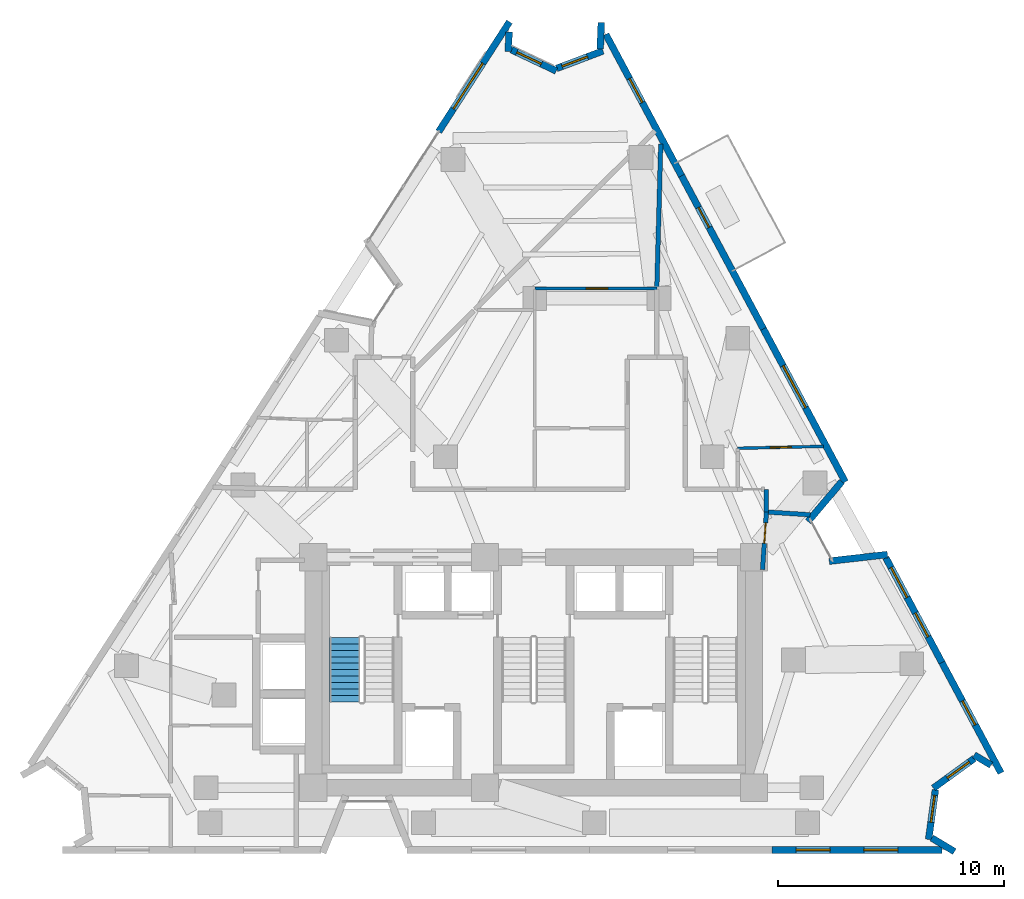
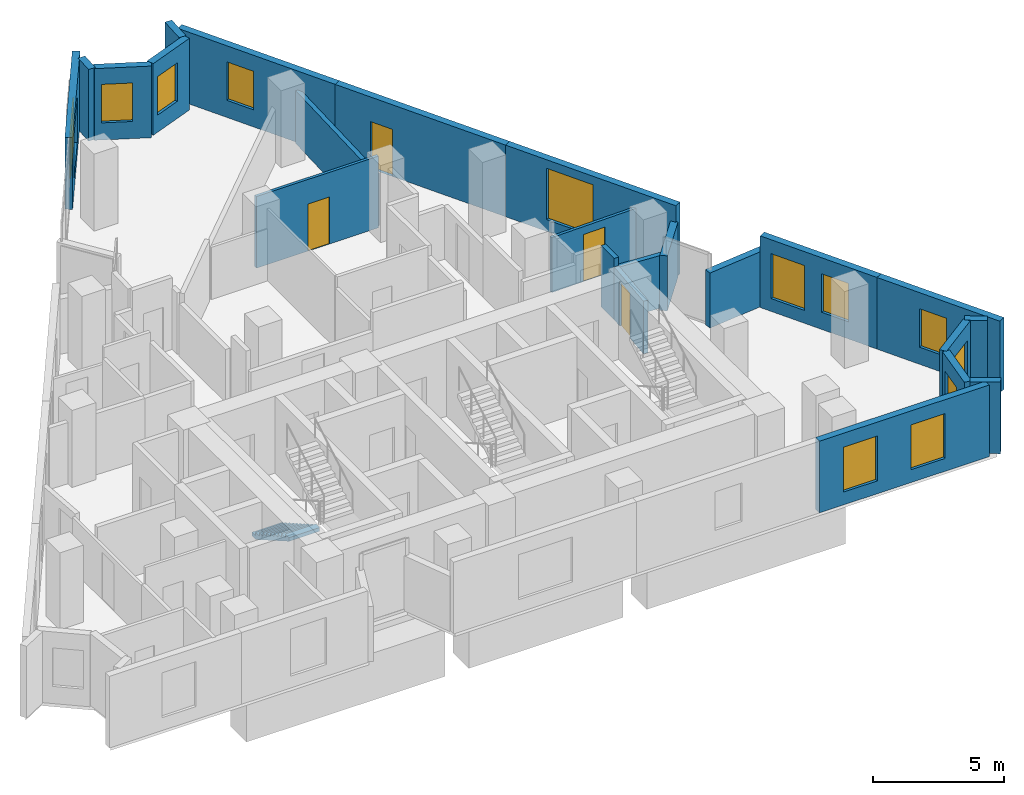
# One storey, part 9 of 11: 23 walls, 12 windows, 4 doors, 1 stair flight, 16 openings, 1 element without a shape of its own.
"""IFC4 building model written with IfcOpenShell, lengths in metres."""

from ifc_helpers import new_model, si_unit, direction, frame, frame_2d, origin, place, context, subcontext, project, spatial, polyline, rectangle, outline, extrude, material, layer, layer_set, type_object, element, fill, aggregate, save


model = new_model("IFC4")

# Units and contexts
model_context = context("Model", 3, precision=1e-05, world=origin(), true_north=direction((0.0, 1.0)))
body_context = subcontext(model_context, "Body", "Model", "MODEL_VIEW")
ifc_project = project(units=[si_unit("LENGTHUNIT", "METRE"), si_unit("AREAUNIT", "SQUARE_METRE"), si_unit("VOLUMEUNIT", "CUBIC_METRE"), si_unit("PLANEANGLEUNIT", "RADIAN"), si_unit("MASSUNIT", "GRAM", prefix="KILO")], contexts=[model_context])

# Site, building, storey
site_placement = place(None, origin())
site = spatial("IfcSite", under=ifc_project, at=site_placement, CompositionType="ELEMENT")
building_placement = place(site_placement, origin())
building = spatial("IfcBuilding", under=site, at=building_placement, Name="Almagre Mirador Tower", CompositionType="ELEMENT")
storey_placement = place(building_placement, frame((0.0, 0.0, 175.199951171875)))
storey = spatial("IfcBuildingStorey", under=building, at=storey_placement, Name="L45", CompositionType="ELEMENT", Elevation=175.199951171875)

# Wall, opening, window
ifc_material_1 = material(Name="Precast concrete C50/60", Category="concrete")
ifc_layer_1 = layer(ifc_material_1, 0.300048828125)
ifc_layer_set_1 = layer_set([ifc_layer_1], Name="Precast concrete C50/60")
wall_type_1 = type_object("IfcWallType", Name="WAL-EXT-300", PredefinedType="SOLIDWALL", material=ifc_layer_set_1)
wall_1_placement = place(storey_placement, frame((33.097900390625, 33.580078125, 0.0), z_axis=(0.0, 0.0, 1.0), x_axis=(0.542037422538, 0.840354349408, 0.0)))
wall_1 = element("IfcWall", 1, at=wall_1_placement, inside=storey, type_object=wall_type_1, Name="L45 expressed almagre precast frame wall 03", PredefinedType="SOLIDWALL", context=body_context, shape_type="SweptSolid", body=[
    extrude(rectangle(XDim=5.781982421875, YDim=0.300048828125, at=frame_2d((2.89111328125, 0.0))), origin(), (0.0, 0.0, 1.0), 3.35009765625),
])
opening_1_placement = place(wall_1_placement, frame((1.199951171875, 0.0, 0.60009765625)))
opening_1 = element("IfcOpeningElement", 2, at=opening_1_placement, cuts=wall_1, Name="Opening WN-02", PredefinedType="OPENING", context=body_context, shape_type="SweptSolid", body=[
    extrude(rectangle(XDim=2.39990234375, YDim=2.10009765625, at=frame_2d((1.199951171875, 1.050048828125))), frame((0.0, 0.159902, 0.0), z_axis=(0.0, -1.0, 0.0), x_axis=(1.0, 0.0, 0.0)), (0.0, 0.0, 1.0), 0.320049),
])
ifc_material_2 = material(Name="Dark solar-control laminated hurricane glass", Category="glass")
window_type_1 = type_object("IfcWindowType", Name="WIN-2400X2100", PartitioningType="TRIPLE_PANEL_VERTICAL", PredefinedType="WINDOW", material=ifc_material_2)
window_1_placement = place(opening_1_placement, origin())
window_1 = element("IfcWindow", 3, at=window_1_placement, inside=storey, type_object=window_type_1, Name="L45 recessed hurricane window L45-RST-G", OverallHeight=2.10009765625, OverallWidth=2.39990234375, PartitioningType="SINGLE_PANEL", PredefinedType="WINDOW", context=body_context, shape_type="SweptSolid", body=[
    extrude(rectangle(XDim=2.39990234375, YDim=2.10009765625, at=frame_2d((1.199951171875, 1.050048828125))), frame((0.0, 0.030029296875, 0.0), z_axis=(0.0, -1.0, 0.0), x_axis=(1.0, 0.0, 0.0)), (0.0, 0.0, 1.0), 0.06005859375),
])
fill(opening_1, window_1)

# Wall
wall_2_placement = place(storey_placement, frame((36.213623046875, 37.994384765625, 0.0), z_axis=(0.0, 0.0, 1.0), x_axis=(-0.040926134278, -0.999162174791, 0.0)))
element("IfcWall", 4, at=wall_2_placement, inside=storey, type_object=wall_type_1, Name="L45 expressed almagre precast frame wall 04", PredefinedType="SOLIDWALL", context=body_context, shape_type="SweptSolid", body=[
    extrude(rectangle(XDim=0.864990234375, YDim=0.300048828125, at=frame_2d((0.4326171875, 0.0))), origin(), (0.0, 0.0, 1.0), 3.35009765625),
])

# Wall, opening, window
wall_3_placement = place(storey_placement, frame((36.310546875, 37.2099609375, 0.0), z_axis=(0.0, 0.0, 1.0), x_axis=(0.903471604204, -0.428647944585, 0.0)))
wall_3 = element("IfcWall", 5, at=wall_3_placement, inside=storey, type_object=wall_type_1, Name="L45 expressed almagre precast frame wall 05", PredefinedType="SOLIDWALL", context=body_context, shape_type="SweptSolid", body=[
    extrude(rectangle(XDim=2.204833984375, YDim=0.300048828125, at=frame_2d((1.1025390625, 0.0))), origin(), (0.0, 0.0, 1.0), 3.35009765625),
])
opening_2_placement = place(wall_3_placement, frame((0.27001953125, 0.0, 0.800048828125)))
opening_2 = element("IfcOpeningElement", 6, at=opening_2_placement, cuts=wall_3, Name="Opening WN-04", PredefinedType="OPENING", context=body_context, shape_type="SweptSolid", body=[
    extrude(rectangle(XDim=1.199951171875, YDim=1.800048828125, at=frame_2d((0.60009765625, 0.89990234375))), frame((0.0, 0.159902, 0.0), z_axis=(0.0, -1.0, 0.0), x_axis=(1.0, 0.0, 0.0)), (0.0, 0.0, 1.0), 0.320049),
])
ifc_material_3 = material(Name="Dark solar-control laminated hurricane glass", Category="glass")
window_type_2 = type_object("IfcWindowType", Name="WIN-1200X1800", PartitioningType="SINGLE_PANEL", PredefinedType="WINDOW", material=ifc_material_3)
window_2_placement = place(opening_2_placement, origin())
window_2 = element("IfcWindow", 7, at=window_2_placement, inside=storey, type_object=window_type_2, Name="L45 recessed hurricane window L45-RST-G", OverallHeight=1.800048828125, OverallWidth=1.199951171875, PartitioningType="SINGLE_PANEL", PredefinedType="WINDOW", context=body_context, shape_type="SweptSolid", body=[
    extrude(rectangle(XDim=1.199951171875, YDim=1.800048828125, at=frame_2d((0.60009765625, 0.89990234375))), frame((0.0, 0.030029296875, 0.0), z_axis=(0.0, -1.0, 0.0), x_axis=(1.0, 0.0, 0.0)), (0.0, 0.0, 1.0), 0.06005859375),
])
fill(opening_2, window_2)

wall_4_placement = place(storey_placement, frame((38.31640625, 36.3779296875, 0.0), z_axis=(0.0, 0.0, 1.0), x_axis=(0.935503953589, 0.353316222129, 0.0)))
wall_4 = element("IfcWall", 8, at=wall_4_placement, inside=storey, type_object=wall_type_1, Name="L45 expressed almagre precast frame wall 06", PredefinedType="SOLIDWALL", context=body_context, shape_type="SweptSolid", body=[
    extrude(rectangle(XDim=2.1953125, YDim=0.300048828125, at=frame_2d((1.09765625, 0.0))), origin(), (0.0, 0.0, 1.0), 3.35009765625),
])
opening_3_placement = place(wall_4_placement, frame((0.260009765625, 0.0, 0.800048828125)))
opening_3 = element("IfcOpeningElement", 9, at=opening_3_placement, cuts=wall_4, Name="Opening WN-04", PredefinedType="OPENING", context=body_context, shape_type="SweptSolid", body=[
    extrude(rectangle(XDim=1.199951171875, YDim=1.800048828125, at=frame_2d((0.60009765625, 0.89990234375))), frame((0.0, 0.159902, 0.0), z_axis=(0.0, -1.0, 0.0), x_axis=(1.0, 0.0, 0.0)), (0.0, 0.0, 1.0), 0.320049),
])
window_3_placement = place(opening_3_placement, origin())
window_3 = element("IfcWindow", 10, at=window_3_placement, inside=storey, type_object=window_type_2, Name="L45 recessed hurricane window L45-RST-G", OverallHeight=1.800048828125, OverallWidth=1.199951171875, PartitioningType="SINGLE_PANEL", PredefinedType="WINDOW", context=body_context, shape_type="SweptSolid", body=[
    extrude(rectangle(XDim=1.199951171875, YDim=1.800048828125, at=frame_2d((0.60009765625, 0.89990234375))), frame((0.0, 0.030029296875, 0.0), z_axis=(0.0, -1.0, 0.0), x_axis=(1.0, 0.0, 0.0)), (0.0, 0.0, 1.0), 0.06005859375),
])
fill(opening_3, window_3)

# Wall
wall_5_placement = place(storey_placement, frame((40.24462890625, 37.239013671875, 0.0), z_axis=(0.0, 0.0, 1.0), x_axis=(0.040939027533, 0.999161646594, 0.0)))
element("IfcWall", 11, at=wall_5_placement, inside=storey, type_object=wall_type_1, Name="L45 expressed almagre precast frame wall 07", PredefinedType="SOLIDWALL", context=body_context, shape_type="SweptSolid", body=[
    extrude(rectangle(XDim=1.1748046875, YDim=0.300048828125, at=frame_2d((0.58740234375, 0.0))), origin(), (0.0, 0.0, 1.0), 3.35009765625),
])

# Wall, opening, window
wall_6_placement = place(storey_placement, frame((40.49462890625, 37.885009765625, 0.0), z_axis=(0.0, 0.0, 1.0), x_axis=(0.471731834897, -0.88174206883, 0.0)))
wall_6 = element("IfcWall", 12, at=wall_6_placement, inside=storey, type_object=wall_type_1, Name="L45 expressed almagre precast frame wall 08", PredefinedType="SOLIDWALL", context=body_context, shape_type="SweptSolid", body=[
    extrude(rectangle(XDim=7.10009765625, YDim=0.300048828125, at=frame_2d((3.550048828125, 0.0))), origin(), (0.0, 0.0, 1.0), 3.35009765625),
])
opening_4_placement = place(wall_6_placement, frame((2.219970703125, 0.0, 0.800048828125)))
opening_4 = element("IfcOpeningElement", 13, at=opening_4_placement, cuts=wall_6, Name="Opening WN-04", PredefinedType="OPENING", context=body_context, shape_type="SweptSolid", body=[
    extrude(rectangle(XDim=1.199951171875, YDim=1.800048828125, at=frame_2d((0.60009765625, 0.89990234375))), frame((0.0, 0.159902, 0.0), z_axis=(0.0, -1.0, 0.0), x_axis=(1.0, 0.0, 0.0)), (0.0, 0.0, 1.0), 0.320049),
])
window_4_placement = place(opening_4_placement, origin())
window_4 = element("IfcWindow", 14, at=window_4_placement, inside=storey, type_object=window_type_2, Name="L45 recessed hurricane window L45-RST-G", OverallHeight=1.800048828125, OverallWidth=1.199951171875, PartitioningType="SINGLE_PANEL", PredefinedType="WINDOW", context=body_context, shape_type="SweptSolid", body=[
    extrude(rectangle(XDim=1.199951171875, YDim=1.800048828125, at=frame_2d((0.60009765625, 0.89990234375))), frame((0.0, 0.030029296875, 0.0), z_axis=(0.0, -1.0, 0.0), x_axis=(1.0, 0.0, 0.0)), (0.0, 0.0, 1.0), 0.06005859375),
])
fill(opening_4, window_4)

# Wall, opening, door
wall_7_placement = place(storey_placement, frame((43.843994140625, 31.62451171875, 0.0), z_axis=(0.0, 0.0, 1.0), x_axis=(0.471736169991, -0.881739749542, 0.0)))
wall_7 = element("IfcWall", 15, at=wall_7_placement, inside=storey, type_object=wall_type_1, Name="L45 expressed almagre precast frame wall 09", PredefinedType="SOLIDWALL", context=body_context, shape_type="SweptSolid", body=[
    extrude(rectangle(XDim=7.68017578125, YDim=0.300048828125, at=frame_2d((3.840087890625, 0.0))), origin(), (0.0, 0.0, 1.0), 3.35009765625),
])
opening_5_placement = place(wall_7_placement, frame((1.58984375, 0.0, 0.0)))
opening_5 = element("IfcOpeningElement", 16, at=opening_5_placement, cuts=wall_7, Name="Opening BD-01", PredefinedType="OPENING", context=body_context, shape_type="SweptSolid", body=[
    extrude(rectangle(XDim=1.0, YDim=2.199951171875, at=frame_2d((0.5, 1.10009765625))), frame((0.0, 0.159902, 0.0), z_axis=(0.0, -1.0, 0.0), x_axis=(1.0, 0.0, 0.0)), (0.0, 0.0, 1.0), 0.320049),
])
ifc_material_4 = material(Name="Black anodized aluminium and laminated glass", Category="aluminium")
door_type_1 = type_object("IfcDoorType", Name="DOR-BAL-1000X2200", OperationType="NOTDEFINED", PredefinedType="DOOR", material=ifc_material_4)
door_1_placement = place(opening_5_placement, origin())
door_1 = element("IfcDoor", 17, at=door_1_placement, inside=storey, type_object=door_type_1, Name="DR-1428 L45 east balcony glazed door 1", OperationType="SINGLE_SWING_RIGHT", OverallHeight=2.199951171875, OverallWidth=1.0, PredefinedType="DOOR", context=body_context, shape_type="SweptSolid", body=[
    extrude(rectangle(XDim=1.0, YDim=2.199951171875, at=frame_2d((0.5, 1.10009765625))), frame((0.0, 0.02490234375, 0.0), z_axis=(0.0, -1.0, 0.0), x_axis=(1.0, 0.0, 0.0)), (0.0, 0.0, 1.0), 0.050048828125),
])
fill(opening_5, door_1)

# Wall, opening, window
wall_8_placement = place(storey_placement, frame((47.467041015625, 24.8525390625, 0.0), z_axis=(0.0, 0.0, 1.0), x_axis=(0.471736169991, -0.881739749542, 0.0)))
wall_8 = element("IfcWall", 18, at=wall_8_placement, inside=storey, type_object=wall_type_1, Name="L45 expressed almagre precast frame wall 10", PredefinedType="SOLIDWALL", context=body_context, shape_type="SweptSolid", body=[
    extrude(rectangle(XDim=7.68017578125, YDim=0.300048828125, at=frame_2d((3.840087890625, 0.0))), origin(), (0.0, 0.0, 1.0), 3.35009765625),
])
opening_6_placement = place(wall_8_placement, frame((1.85009765625, 0.0, 0.550048828125)))
opening_6 = element("IfcOpeningElement", 19, at=opening_6_placement, cuts=wall_8, Name="Opening WN-05", PredefinedType="OPENING", context=body_context, shape_type="SweptSolid", body=[
    extrude(rectangle(XDim=2.10009765625, YDim=2.39990234375, at=frame_2d((1.050048828125, 1.199951171875))), frame((0.0, 0.159902, 0.0), z_axis=(0.0, -1.0, 0.0), x_axis=(1.0, 0.0, 0.0)), (0.0, 0.0, 1.0), 0.320049),
])
ifc_material_5 = material(Name="Dark solar-control laminated hurricane glass", Category="glass")
window_type_3 = type_object("IfcWindowType", Name="WIN-2100X2400", PartitioningType="DOUBLE_PANEL_VERTICAL", PredefinedType="WINDOW", material=ifc_material_5)
window_5_placement = place(opening_6_placement, origin())
window_5 = element("IfcWindow", 20, at=window_5_placement, inside=storey, type_object=window_type_3, Name="L45 recessed hurricane window L45-UF-ST", OverallHeight=2.39990234375, OverallWidth=2.10009765625, PartitioningType="SINGLE_PANEL", PredefinedType="WINDOW", context=body_context, shape_type="SweptSolid", body=[
    extrude(rectangle(XDim=2.10009765625, YDim=2.39990234375, at=frame_2d((1.050048828125, 1.199951171875))), frame((0.0, 0.030029296875, 0.0), z_axis=(0.0, -1.0, 0.0), x_axis=(1.0, 0.0, 0.0)), (0.0, 0.0, 1.0), 0.06005859375),
])
fill(opening_6, window_5)

# Walls
wall_9_placement = place(storey_placement, frame((50.93359375, 18.09716796875, 0.0), z_axis=(0.0, 0.0, 1.0), x_axis=(-0.645152076947, -0.764054184996, 0.0)))
element("IfcWall", 21, at=wall_9_placement, inside=storey, type_object=wall_type_1, Name="L45 expressed almagre precast frame wall 11", PredefinedType="SOLIDWALL", context=body_context, shape_type="SweptSolid", body=[
    extrude(rectangle(XDim=2.31396484375, YDim=0.300048828125, at=frame_2d((1.156982421875, 0.0))), origin(), (0.0, 0.0, 1.0), 2.574951171875),
])
wall_10_placement = place(storey_placement, frame((50.3779296875, 14.577392578125, 0.0), z_axis=(0.0, 0.0, 1.0), x_axis=(0.993674192695, 0.112301374752, 0.0)))
element("IfcWall", 22, at=wall_10_placement, inside=storey, type_object=wall_type_1, Name="L45 expressed almagre precast frame wall 12", PredefinedType="SOLIDWALL", context=body_context, shape_type="SweptSolid", body=[
    extrude(rectangle(XDim=2.593505859375, YDim=0.300048828125, at=frame_2d((1.296875, 0.0))), origin(), (0.0, 0.0, 1.0), 2.574951171875),
])

# Wall, openings, windows
wall_11_placement = place(storey_placement, frame((52.882080078125, 14.7294921875, 0.0), z_axis=(0.0, 0.0, 1.0), x_axis=(0.47178229043, -0.881715073273, 0.0)))
wall_11 = element("IfcWall", 23, at=wall_11_placement, inside=storey, type_object=wall_type_1, Name="L45 expressed almagre precast frame wall 13", PredefinedType="SOLIDWALL", context=body_context, shape_type="SweptSolid", body=[
    extrude(rectangle(XDim=5.26171875, YDim=0.300048828125, at=frame_2d((2.630859375, 0.0))), origin(), (0.0, 0.0, 1.0), 3.35009765625),
])
opening_7_placement = place(wall_11_placement, frame((2.77001953125, 0.0, 0.800048828125)))
opening_7 = element("IfcOpeningElement", 24, at=opening_7_placement, cuts=wall_11, Name="Opening WN-04", PredefinedType="OPENING", context=body_context, shape_type="SweptSolid", body=[
    extrude(rectangle(XDim=1.199951171875, YDim=1.800048828125, at=frame_2d((0.60009765625, 0.89990234375))), frame((0.0, 0.159902, 0.0), z_axis=(0.0, -1.0, 0.0), x_axis=(1.0, 0.0, 0.0)), (0.0, 0.0, 1.0), 0.320049),
])
opening_8_placement = place(wall_11_placement, frame((0.4951171875, 0.0, 0.60009765625)))
opening_8 = element("IfcOpeningElement", 25, at=opening_8_placement, cuts=wall_11, Name="Opening WN-03", PredefinedType="OPENING", context=body_context, shape_type="SweptSolid", body=[
    extrude(rectangle(XDim=1.5, YDim=2.10009765625, at=frame_2d((0.75, 1.050048828125))), frame((0.0, 0.159902, 0.0), z_axis=(0.0, -1.0, 0.0), x_axis=(1.0, 0.0, 0.0)), (0.0, 0.0, 1.0), 0.320049),
])
window_6_placement = place(opening_7_placement, origin())
window_6 = element("IfcWindow", 26, at=window_6_placement, inside=storey, type_object=window_type_2, Name="L45 recessed hurricane window L45-UC-LV", OverallHeight=1.800048828125, OverallWidth=1.199951171875, PartitioningType="SINGLE_PANEL", PredefinedType="WINDOW", context=body_context, shape_type="SweptSolid", body=[
    extrude(rectangle(XDim=1.199951171875, YDim=1.800048828125, at=frame_2d((0.60009765625, 0.89990234375))), frame((0.0, 0.030029296875, 0.0), z_axis=(0.0, -1.0, 0.0), x_axis=(1.0, 0.0, 0.0)), (0.0, 0.0, 1.0), 0.06005859375),
])
fill(opening_7, window_6)
ifc_material_6 = material(Name="Dark solar-control laminated hurricane glass", Category="glass")
window_type_4 = type_object("IfcWindowType", Name="WIN-1500X2100", PartitioningType="DOUBLE_PANEL_VERTICAL", PredefinedType="WINDOW", material=ifc_material_6)
window_7_placement = place(opening_8_placement, origin())
window_7 = element("IfcWindow", 27, at=window_7_placement, inside=storey, type_object=window_type_4, Name="L45 recessed hurricane window L45-UC-HB", OverallHeight=2.10009765625, OverallWidth=1.5, PartitioningType="SINGLE_PANEL", PredefinedType="WINDOW", context=body_context, shape_type="SweptSolid", body=[
    extrude(rectangle(XDim=1.5, YDim=2.10009765625, at=frame_2d((0.75, 1.050048828125))), frame((0.0, 0.030029296875, 0.0), z_axis=(0.0, -1.0, 0.0), x_axis=(1.0, 0.0, 0.0)), (0.0, 0.0, 1.0), 0.06005859375),
])
fill(opening_8, window_7)

# Wall, opening, window
wall_12_placement = place(storey_placement, frame((55.364501953125, 10.090087890625, 0.0), z_axis=(0.0, 0.0, 1.0), x_axis=(0.471765361947, -0.881724131045, 0.0)))
wall_12 = element("IfcWall", 28, at=wall_12_placement, inside=storey, type_object=wall_type_1, Name="L45 expressed almagre precast frame wall 14", PredefinedType="SOLIDWALL", context=body_context, shape_type="SweptSolid", body=[
    extrude(rectangle(XDim=5.5419921875, YDim=0.300048828125, at=frame_2d((2.77099609375, 0.0))), origin(), (0.0, 0.0, 1.0), 3.35009765625),
])
opening_9_placement = place(wall_12_placement, frame((1.925048828125, 0.0, 0.800048828125)))
opening_9 = element("IfcOpeningElement", 29, at=opening_9_placement, cuts=wall_12, Name="Opening WN-04", PredefinedType="OPENING", context=body_context, shape_type="SweptSolid", body=[
    extrude(rectangle(XDim=1.199951171875, YDim=1.800048828125, at=frame_2d((0.60009765625, 0.89990234375))), frame((0.0, 0.159902, 0.0), z_axis=(0.0, -1.0, 0.0), x_axis=(1.0, 0.0, 0.0)), (0.0, 0.0, 1.0), 0.320049),
])
window_8_placement = place(opening_9_placement, origin())
window_8 = element("IfcWindow", 30, at=window_8_placement, inside=storey, type_object=window_type_2, Name="L45 recessed hurricane window L45-UC-MB", OverallHeight=1.800048828125, OverallWidth=1.199951171875, PartitioningType="SINGLE_PANEL", PredefinedType="WINDOW", context=body_context, shape_type="SweptSolid", body=[
    extrude(rectangle(XDim=1.199951171875, YDim=1.800048828125, at=frame_2d((0.60009765625, 0.89990234375))), frame((0.0, 0.030029296875, 0.0), z_axis=(0.0, -1.0, 0.0), x_axis=(1.0, 0.0, 0.0)), (0.0, 0.0, 1.0), 0.06005859375),
])
fill(opening_9, window_8)

# Wall
wall_13_placement = place(storey_placement, frame((57.539794921875, 5.55029296875, 0.0), z_axis=(0.0, 0.0, 1.0), x_axis=(-0.857935586933, 0.513757266297, 0.0)))
element("IfcWall", 31, at=wall_13_placement, inside=storey, type_object=wall_type_1, Name="L45 expressed almagre precast frame wall 15", PredefinedType="SOLIDWALL", context=body_context, shape_type="SweptSolid", body=[
    extrude(rectangle(XDim=0.875244140625, YDim=0.300048828125, at=frame_2d((0.4375, 0.0))), origin(), (0.0, 0.0, 1.0), 3.35009765625),
])

# Wall, opening, window
wall_14_placement = place(storey_placement, frame((56.795654296875, 5.845947265625, 0.0), z_axis=(0.0, 0.0, 1.0), x_axis=(-0.809618227437, -0.586956834701, 0.0)))
wall_14 = element("IfcWall", 32, at=wall_14_placement, inside=storey, type_object=wall_type_1, Name="L45 expressed almagre precast frame wall 16", PredefinedType="SOLIDWALL", context=body_context, shape_type="SweptSolid", body=[
    extrude(rectangle(XDim=2.235595703125, YDim=0.300048828125, at=frame_2d((1.11767578125, 0.0))), origin(), (0.0, 0.0, 1.0), 3.35009765625),
])
opening_10_placement = place(wall_14_placement, frame((0.27001953125, 0.0, 0.800048828125)))
opening_10 = element("IfcOpeningElement", 33, at=opening_10_placement, cuts=wall_14, Name="Opening WN-04", PredefinedType="OPENING", context=body_context, shape_type="SweptSolid", body=[
    extrude(rectangle(XDim=1.199951171875, YDim=1.800048828125, at=frame_2d((0.60009765625, 0.89990234375))), frame((0.0, 0.159902, 0.0), z_axis=(0.0, -1.0, 0.0), x_axis=(1.0, 0.0, 0.0)), (0.0, 0.0, 1.0), 0.320049),
])
window_9_placement = place(opening_10_placement, origin())
window_9 = element("IfcWindow", 34, at=window_9_placement, inside=storey, type_object=window_type_2, Name="L45 recessed hurricane window L45-UC-MB", OverallHeight=1.800048828125, OverallWidth=1.199951171875, PartitioningType="SINGLE_PANEL", PredefinedType="WINDOW", context=body_context, shape_type="SweptSolid", body=[
    extrude(rectangle(XDim=1.199951171875, YDim=1.800048828125, at=frame_2d((0.60009765625, 0.89990234375))), frame((0.0, 0.030029296875, 0.0), z_axis=(0.0, -1.0, 0.0), x_axis=(1.0, 0.0, 0.0)), (0.0, 0.0, 1.0), 0.06005859375),
])
fill(opening_10, window_9)

wall_15_placement = place(storey_placement, frame((55.077392578125, 4.45751953125, 0.0), z_axis=(0.0, 0.0, 1.0), x_axis=(-0.135526215052, -0.990773760772, 0.0)))
wall_15 = element("IfcWall", 35, at=wall_15_placement, inside=storey, type_object=wall_type_1, Name="L45 expressed almagre precast frame wall 17", PredefinedType="SOLIDWALL", context=body_context, shape_type="SweptSolid", body=[
    extrude(rectangle(XDim=2.2158203125, YDim=0.300048828125, at=frame_2d((1.10791015625, 0.0))), origin(), (0.0, 0.0, 1.0), 3.35009765625),
])
opening_11_placement = place(wall_15_placement, frame((0.25, 0.0, 0.800048828125)))
opening_11 = element("IfcOpeningElement", 36, at=opening_11_placement, cuts=wall_15, Name="Opening WN-04", PredefinedType="OPENING", context=body_context, shape_type="SweptSolid", body=[
    extrude(rectangle(XDim=1.199951171875, YDim=1.800048828125, at=frame_2d((0.60009765625, 0.89990234375))), frame((0.0, 0.159902, 0.0), z_axis=(0.0, -1.0, 0.0), x_axis=(1.0, 0.0, 0.0)), (0.0, 0.0, 1.0), 0.320049),
])
window_10_placement = place(opening_11_placement, origin())
window_10 = element("IfcWindow", 37, at=window_10_placement, inside=storey, type_object=window_type_2, Name="L45 recessed hurricane window L45-UC-MB", OverallHeight=1.800048828125, OverallWidth=1.199951171875, PartitioningType="SINGLE_PANEL", PredefinedType="WINDOW", context=body_context, shape_type="SweptSolid", body=[
    extrude(rectangle(XDim=1.199951171875, YDim=1.800048828125, at=frame_2d((0.60009765625, 0.89990234375))), frame((0.0, 0.030029296875, 0.0), z_axis=(0.0, -1.0, 0.0), x_axis=(1.0, 0.0, 0.0)), (0.0, 0.0, 1.0), 0.06005859375),
])
fill(opening_11, window_10)

# Wall
wall_16_placement = place(storey_placement, frame((54.916015625, 2.3291015625, 0.0), z_axis=(0.0, 0.0, 1.0), x_axis=(0.858026268656, -0.513605804384, 0.0)))
element("IfcWall", 38, at=wall_16_placement, inside=storey, type_object=wall_type_1, Name="L45 expressed almagre precast frame wall 18", PredefinedType="SOLIDWALL", context=body_context, shape_type="SweptSolid", body=[
    extrude(rectangle(XDim=1.17041015625, YDim=0.300048828125, at=frame_2d((0.585205078125, 0.0))), origin(), (0.0, 0.0, 1.0), 3.35009765625),
])

# Wall, openings, windows
wall_17_placement = place(storey_placement, frame((55.3701171875, 1.800048828125, 0.0), z_axis=(0.0, 0.0, 1.0), x_axis=(-1.0, 0.0, 0.0)))
wall_17 = element("IfcWall", 39, at=wall_17_placement, inside=storey, type_object=wall_type_1, Name="L45 expressed almagre precast frame wall 19", PredefinedType="SOLIDWALL", context=body_context, shape_type="SweptSolid", body=[
    extrude(rectangle(XDim=7.51416015625, YDim=0.300048828125, at=frame_2d((3.757080078125, 0.0))), origin(), (0.0, 0.0, 1.0), 3.35009765625),
])
opening_12_placement = place(wall_17_placement, frame((4.955078125, 0.0, 0.60009765625)))
opening_12 = element("IfcOpeningElement", 40, at=opening_12_placement, cuts=wall_17, Name="Opening WN-03", PredefinedType="OPENING", context=body_context, shape_type="SweptSolid", body=[
    extrude(rectangle(XDim=1.5, YDim=2.10009765625, at=frame_2d((0.75, 1.050048828125))), frame((0.0, 0.159902, 0.0), z_axis=(0.0, -1.0, 0.0), x_axis=(1.0, 0.0, 0.0)), (0.0, 0.0, 1.0), 0.320049),
])
opening_13_placement = place(wall_17_placement, frame((1.955078125, 0.0, 0.60009765625)))
opening_13 = element("IfcOpeningElement", 41, at=opening_13_placement, cuts=wall_17, Name="Opening WN-03", PredefinedType="OPENING", context=body_context, shape_type="SweptSolid", body=[
    extrude(rectangle(XDim=1.5, YDim=2.10009765625, at=frame_2d((0.75, 1.050048828125))), frame((0.0, 0.159902, 0.0), z_axis=(0.0, -1.0, 0.0), x_axis=(1.0, 0.0, 0.0)), (0.0, 0.0, 1.0), 0.320049),
])
window_11_placement = place(opening_12_placement, origin())
window_11 = element("IfcWindow", 42, at=window_11_placement, inside=storey, type_object=window_type_4, Name="L45 recessed hurricane window L45-RST-B", OverallHeight=2.10009765625, OverallWidth=1.5, PartitioningType="SINGLE_PANEL", PredefinedType="WINDOW", context=body_context, shape_type="SweptSolid", body=[
    extrude(rectangle(XDim=1.5, YDim=2.10009765625, at=frame_2d((0.75, 1.050048828125))), frame((0.0, 0.030029296875, 0.0), z_axis=(0.0, -1.0, 0.0), x_axis=(1.0, 0.0, 0.0)), (0.0, 0.0, 1.0), 0.06005859375),
])
fill(opening_12, window_11)
window_12_placement = place(opening_13_placement, origin())
window_12 = element("IfcWindow", 43, at=window_12_placement, inside=storey, type_object=window_type_4, Name="L45 recessed hurricane window L45-UC-KT", OverallHeight=2.10009765625, OverallWidth=1.5, PartitioningType="SINGLE_PANEL", PredefinedType="WINDOW", context=body_context, shape_type="SweptSolid", body=[
    extrude(rectangle(XDim=1.5, YDim=2.10009765625, at=frame_2d((0.75, 1.050048828125))), frame((0.0, 0.030029296875, 0.0), z_axis=(0.0, -1.0, 0.0), x_axis=(1.0, 0.0, 0.0)), (0.0, 0.0, 1.0), 0.06005859375),
])
fill(opening_13, window_12)

# Wall, opening, door
ifc_material_7 = material(Name="Gypsum acoustic stud partition", Category="other")
ifc_layer_2 = layer(ifc_material_7, 0.125)
ifc_layer_set_2 = layer_set([ifc_layer_2], Name="Gypsum acoustic stud partition")
wall_type_2 = type_object("IfcWallType", Name="WAL-PRT-125-UTL", PredefinedType="PARTITIONING", material=ifc_layer_set_2)
wall_18_placement = place(storey_placement, frame((42.75, 26.639892578125, 0.0), z_axis=(0.0, 0.0, 1.0), x_axis=(-1.0, 0.0, 0.0)))
wall_18 = element("IfcWall", 44, at=wall_18_placement, inside=storey, type_object=wall_type_2, Name="L45 interior partition 045", PredefinedType="PARTITIONING", context=body_context, shape_type="SweptSolid", body=[
    extrude(rectangle(XDim=5.39990234375, YDim=0.125, at=frame_2d((2.699951171875, 0.0))), origin(), (0.0, 0.0, 1.0), 3.35009765625),
])
opening_14_placement = place(wall_18_placement, frame((2.165283203125, 0.0, 0.0)))
opening_14 = element("IfcOpeningElement", 45, at=opening_14_placement, cuts=wall_18, Name="Opening UD-01", PredefinedType="OPENING", context=body_context, shape_type="SweptSolid", body=[
    extrude(rectangle(XDim=0.949951171875, YDim=2.199951171875, at=frame_2d((0.47509765625, 1.10009765625))), frame((0.0, 0.0725, 0.0), z_axis=(0.0, -1.0, 0.0), x_axis=(1.0, 0.0, 0.0)), (0.0, 0.0, 1.0), 0.145),
])
ifc_material_8 = material(Name="Solid American walnut timber", Category="wood")
door_type_2 = type_object("IfcDoorType", Name="DOR-UNR-950X2200", OperationType="NOTDEFINED", PredefinedType="DOOR", material=ifc_material_8)
door_2_placement = place(opening_14_placement, origin())
door_2 = element("IfcDoor", 46, at=door_2_placement, inside=storey, type_object=door_type_2, Name="DR-1444 L45 interior door L45-UE-ST to L45-UE-KT", OperationType="SINGLE_SWING_LEFT", OverallHeight=2.199951171875, OverallWidth=0.949951171875, PredefinedType="DOOR", context=body_context, shape_type="SweptSolid", body=[
    extrude(rectangle(XDim=0.949951171875, YDim=2.199951171875, at=frame_2d((0.47509765625, 1.10009765625))), frame((0.0, 0.02490234375, 0.0), z_axis=(0.0, -1.0, 0.0), x_axis=(1.0, 0.0, 0.0)), (0.0, 0.0, 1.0), 0.050048828125),
])
fill(opening_14, door_2)

wall_19_placement = place(storey_placement, frame((46.330078125, 19.570068359375, 0.0), z_axis=(0.0, 0.0, 1.0), x_axis=(0.999743823458, 0.022633768064, 0.0)))
wall_19 = element("IfcWall", 47, at=wall_19_placement, inside=storey, type_object=wall_type_2, Name="L45 interior partition 054", PredefinedType="PARTITIONING", context=body_context, shape_type="SweptSolid", body=[
    extrude(rectangle(XDim=3.796875, YDim=0.125, at=frame_2d((1.8984375, 0.0))), origin(), (0.0, 0.0, 1.0), 2.570068359375),
])
opening_15_placement = place(wall_19_placement, frame((1.42919921875, 0.0, 0.0)))
opening_15 = element("IfcOpeningElement", 48, at=opening_15_placement, cuts=wall_19, Name="Opening UD-01", PredefinedType="OPENING", context=body_context, shape_type="SweptSolid", body=[
    extrude(rectangle(XDim=0.949951171875, YDim=2.199951171875, at=frame_2d((0.47509765625, 1.10009765625))), frame((0.0, 0.0725, 0.0), z_axis=(0.0, -1.0, 0.0), x_axis=(1.0, 0.0, 0.0)), (0.0, 0.0, 1.0), 0.145),
])
door_3_placement = place(opening_15_placement, origin())
door_3 = element("IfcDoor", 49, at=door_3_placement, inside=storey, type_object=door_type_2, Name="DR-1447 L45 interior door L45-UF-ST to L45-UF-KT", OperationType="SINGLE_SWING_RIGHT", OverallHeight=2.199951171875, OverallWidth=0.949951171875, PredefinedType="DOOR", context=body_context, shape_type="SweptSolid", body=[
    extrude(rectangle(XDim=0.949951171875, YDim=2.199951171875, at=frame_2d((0.47509765625, 1.10009765625))), frame((0.0, 0.02490234375, 0.0), z_axis=(0.0, -1.0, 0.0), x_axis=(1.0, 0.0, 0.0)), (0.0, 0.0, 1.0), 0.050048828125),
])
fill(opening_15, door_3)

ifc_material_9 = material(Name="Gypsum acoustic stud partition", Category="other")
ifc_layer_3 = layer(ifc_material_9, 0.199951171875)
ifc_layer_set_3 = layer_set([ifc_layer_3], Name="Gypsum acoustic stud partition")
wall_type_3 = type_object("IfcWallType", Name="WAL-PRT-200-EI60", PredefinedType="PARTITIONING", material=ifc_layer_set_3)
wall_20_placement = place(storey_placement, frame((47.425048828125, 14.199951171875, 0.0), z_axis=(0.0, 0.0, 1.0), x_axis=(0.068484119878, 0.997652206595, 0.0)))
wall_20 = element("IfcWall", 50, at=wall_20_placement, inside=storey, type_object=wall_type_3, Name="L45 interior partition 004", PredefinedType="PARTITIONING", context=body_context, shape_type="SweptSolid", body=[
    extrude(rectangle(XDim=2.55615234375, YDim=0.199951171875, at=frame_2d((1.278076171875, 0.0))), origin(), (0.0, 0.0, 1.0), 2.464111328125),
])
opening_16_placement = place(wall_20_placement, frame((1.172119140625, 0.0, 0.0)))
opening_16 = element("IfcOpeningElement", 51, at=opening_16_placement, cuts=wall_20, Name="Opening ID-03", PredefinedType="OPENING", context=body_context, shape_type="SweptSolid", body=[
    extrude(rectangle(XDim=0.89990234375, YDim=2.10009765625, at=frame_2d((0.449951171875, 1.050048828125))), frame((0.0, 0.110098, 0.0), z_axis=(0.0, -1.0, 0.0), x_axis=(1.0, 0.0, 0.0)), (0.0, 0.0, 1.0), 0.219951),
])
ifc_material_10 = material(Name="Fire-rated hollow steel", Category="steel")
door_type_3 = type_object("IfcDoorType", Name="DOR-FD60-900X2100", OperationType="NOTDEFINED", PredefinedType="DOOR", material=ifc_material_10)
door_4_placement = place(opening_16_placement, origin())
door_4 = element("IfcDoor", 52, at=door_4_placement, inside=storey, type_object=door_type_3, Name="DR-1434 L45 interior door L45-RCOR to L45-RST-B", OperationType="SINGLE_SWING_RIGHT", OverallHeight=2.10009765625, OverallWidth=0.89990234375, PredefinedType="DOOR", context=body_context, shape_type="SweptSolid", body=[
    extrude(rectangle(XDim=0.89990234375, YDim=2.10009765625, at=frame_2d((0.449951171875, 1.050048828125))), frame((0.0, 0.02490234375, 0.0), z_axis=(0.0, -1.0, 0.0), x_axis=(1.0, 0.0, 0.0)), (0.0, 0.0, 1.0), 0.050048828125),
])
fill(opening_16, door_4)

# Walls
wall_21_placement = place(storey_placement, frame((47.60009765625, 16.75, 0.0), z_axis=(0.0, 0.0, 1.0), x_axis=(0.0, 1.0, 0.0)))
element("IfcWall", 53, at=wall_21_placement, inside=storey, type_object=wall_type_3, Name="L45 interior partition 019", PredefinedType="PARTITIONING", context=body_context, shape_type="SweptSolid", body=[
    extrude(rectangle(XDim=1.0, YDim=0.199951171875, at=frame_2d((0.5, 0.0))), origin(), (0.0, 0.0, 1.0), 2.860107421875),
])
wall_22_placement = place(storey_placement, frame((49.5380859375, 16.626953125, 0.0), z_axis=(0.0, 0.0, 1.0), x_axis=(-0.997939995932, 0.064154224478, 0.0)))
element("IfcWall", 54, at=wall_22_placement, inside=storey, type_object=wall_type_3, Name="L45 interior partition 034", PredefinedType="PARTITIONING", context=body_context, shape_type="SweptSolid", body=[
    extrude(rectangle(XDim=1.857177734375, YDim=0.199951171875, at=frame_2d((0.9287109375, 0.0))), origin(), (0.0, 0.0, 1.0), 2.464111328125),
])
wall_23_placement = place(storey_placement, frame((42.7509765625, 26.6875, 0.0), z_axis=(0.0, 0.0, 1.0), x_axis=(0.027092926653, 0.999632919289, 0.0)))
element("IfcWall", 55, at=wall_23_placement, inside=storey, type_object=wall_type_3, Name="L45 interior partition 051", PredefinedType="PARTITIONING", context=body_context, shape_type="SweptSolid", body=[
    extrude(rectangle(XDim=6.35302734375, YDim=0.199951171875, at=frame_2d((3.176513671875, 0.0))), origin(), (0.0, 0.0, 1.0), 2.464111328125),
])

# Stair, stair flight
ifc_material_11 = material(Name="Concrete C45/55", Category="concrete")
stair_type = type_object("IfcStairType", Name="STR-DL-3600", PredefinedType="HALF_TURN_STAIR", material=ifc_material_11)
stair_placement = place(storey_placement, origin())
stair = element("IfcStair", 56, at=stair_placement, inside=storey, type_object=stair_type, Name="L45 Protected exit stair ST-1", PredefinedType="HALF_TURN_STAIR")
ifc_material_12 = material(Name="Concrete C45/55", Category="concrete")
stair_flight_type = type_object("IfcStairFlightType", Name="FLT-DL-3600", PredefinedType="STRAIGHT", material=ifc_material_12)
stair_flight_placement = place(storey_placement, frame((28.949951171875, 11.199951171875, 0.0), z_axis=(0.0, 0.0, 1.0), x_axis=(0.0, -1.0, 0.0)))
stair_flight = element("IfcStairFlight", 57, at=stair_flight_placement, type_object=stair_flight_type, Name="ST-1 flight 1", NumberOfRisers=11, NumberOfTreads=10, PredefinedType="STRAIGHT", RiserHeight=0.163636364, TreadLength=0.285, context=body_context, shape_type="SweptSolid", body=[
    extrude(outline(polyline([(0.0, 0.0), (0.0, 0.16357421875), (0.284912109375, 0.16357421875), (0.284912109375, 0.327392578125), (0.570068359375, 0.327392578125), (0.570068359375, 0.490966796875), (0.85498046875, 0.490966796875), (0.85498046875, 0.654541015625), (1.139892578125, 0.654541015625), (1.139892578125, 0.818115234375), (1.425048828125, 0.818115234375), (1.425048828125, 0.98193359375), (1.7099609375, 0.98193359375), (1.7099609375, 1.1455078125), (1.9951171875, 1.1455078125), (1.9951171875, 1.30908203125), (2.280029296875, 1.30908203125), (2.280029296875, 1.47265625), (2.56494140625, 1.47265625), (2.56494140625, 1.636474609375), (2.85009765625, 1.636474609375), (2.85009765625, 1.800048828125), (2.85009765625, 1.463623046875), (0.301025390625, 0.0), (0.0, 0.0)])), frame((0.0, 0.675048828125, 0.0), z_axis=(0.0, -1.0, 0.0), x_axis=(1.0, 0.0, 0.0)), (0.0, 0.0, 1.0), 1.35009765625),
])
aggregate(stair, [stair_flight])

save(model, "model.ifc")
